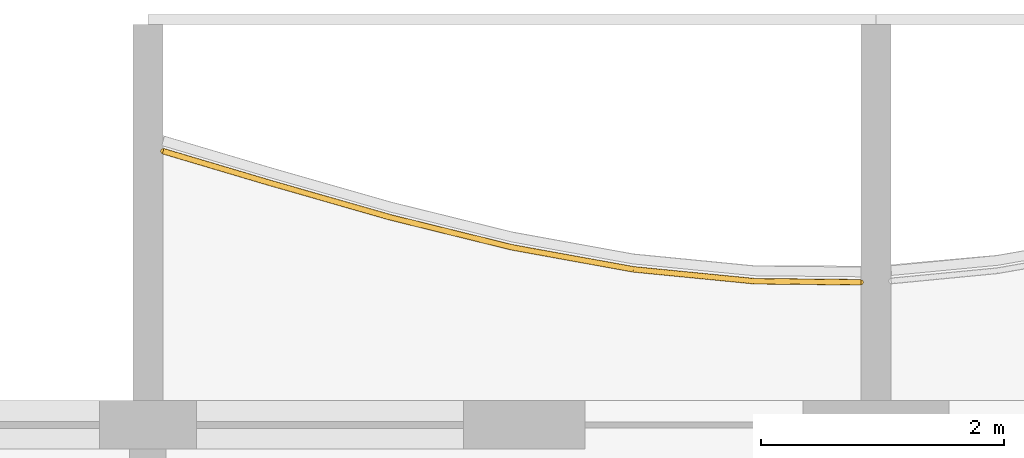
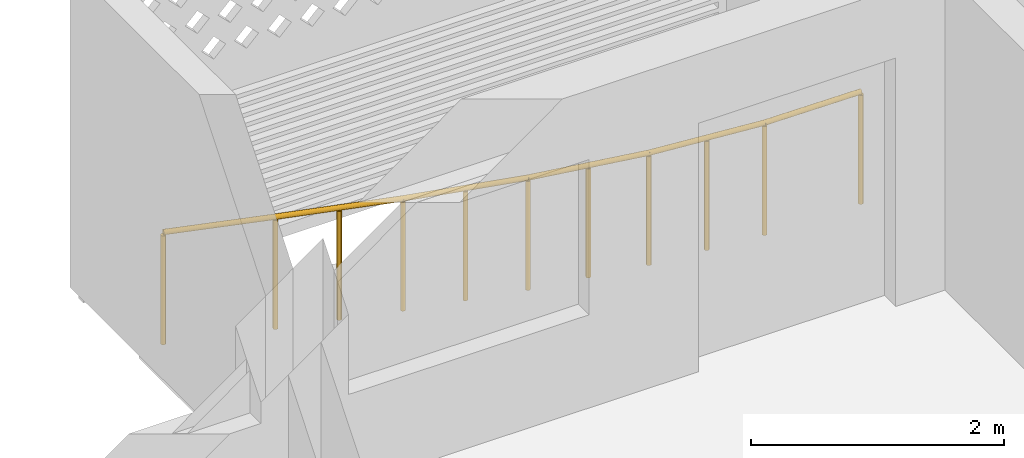
# One storey, part 27 of 32: 1 railing.
"""IFC4 building model written with IfcOpenShell, lengths in metres."""

from ifc_helpers import new_model, si_unit, direction, frame, origin, origin_2d, place, context, subcontext, project, spatial, circle, extrude, material, type_object, element, save


model = new_model("IFC4")

# Units and contexts
model_context = context("Model", 3, precision=1e-05, world=origin(), true_north=direction((0.0, 1.0)))
body_context = subcontext(model_context, "Body", "Model", "MODEL_VIEW")
ifc_project = project(units=[si_unit("LENGTHUNIT", "METRE"), si_unit("AREAUNIT", "SQUARE_METRE"), si_unit("VOLUMEUNIT", "CUBIC_METRE"), si_unit("PLANEANGLEUNIT", "RADIAN"), si_unit("MASSUNIT", "GRAM", prefix="KILO")], contexts=[model_context])

# Site, building, storey
site_placement = place(None, origin())
site = spatial("IfcSite", under=ifc_project, at=site_placement, CompositionType="ELEMENT")
building_placement = place(site_placement, origin())
building = spatial("IfcBuilding", under=site, at=building_placement, Name="Poui Terraces", CompositionType="ELEMENT")
storey_placement = place(building_placement, frame((0.0, 0.0, 129.0)))
storey = spatial("IfcBuildingStorey", under=building, at=storey_placement, Name="L35", CompositionType="ELEMENT", Elevation=129.0)

# Railing
ifc_material = material(Name="Painted steel fretwork", Category="steel")
railing_type = type_object("IfcRailingType", Name="BALCONY GUARD 1100", PredefinedType="GUARDRAIL", material=ifc_material)
railing_placement = place(storey_placement, frame((60.125, 44.655517578125, 0.0)))
element("IfcRailing", 1, at=railing_placement, inside=storey, type_object=railing_type, Name="BALCONY GUARD", PredefinedType="GUARDRAIL", context=body_context, shape_type="SweptSolid", body=[
    extrude(circle(Radius=0.02392578125, at=origin_2d()), frame((0.0, 0.0, 1.076171875), z_axis=(0.958646866278, -0.284598288426, 0.0), x_axis=(0.284598288426, 0.958646866278, 0.0)), (0.0, 0.0, 1.0), 0.912841796875),
    extrude(circle(Radius=0.02392578125, at=origin_2d()), frame((0.875, -0.259765625, 1.076171875), z_axis=(0.96141758688, -0.275093118121, 0.0), x_axis=(0.275093118121, 0.96141758688, 0.0)), (0.0, 0.0, 1.0), 1.0400390625),
    extrude(circle(Radius=0.02392578125, at=origin_2d()), frame((1.875, -0.5458984375, 1.076171875), z_axis=(0.970973389115, -0.239187536528, 0.0), x_axis=(0.239187536528, 0.970973389115, 0.0)), (0.0, 0.0, 1.0), 1.02978515625),
    extrude(circle(Radius=0.02392578125, at=origin_2d()), frame((2.875, -0.792236328125, 1.076171875), z_axis=(0.983942855126, -0.178483774746, 0.0), x_axis=(0.178483774746, 0.983942855126, 0.0)), (0.0, 0.0, 1.0), 1.016357421875),
    extrude(circle(Radius=0.02392578125, at=origin_2d()), frame((3.875, -0.9736328125, 1.076171875), z_axis=(0.995241932297, -0.097434573938, 0.0), x_axis=(0.097434573938, 0.995241932297, 0.0)), (0.0, 0.0, 1.0), 1.0048828125),
    extrude(circle(Radius=0.02392578125, at=origin_2d()), frame((4.875, -1.071533203125, 1.076171875), z_axis=(0.999949556392, -0.010044136169, 0.0), x_axis=(0.010044136169, 0.999949556392, 0.0)), (0.0, 0.0, 1.0), 0.875),
    extrude(circle(Radius=0.02099609375, at=origin_2d()), origin(), (0.0, 0.0, 1.0), 1.052001953125),
    extrude(circle(Radius=0.02099609375, at=origin_2d()), frame((0.875, -0.259765625, 0.0)), (0.0, 0.0, 1.0), 1.052001953125),
    extrude(circle(Radius=0.02099609375, at=origin_2d()), frame((1.375, -0.40283203125, 0.0)), (0.0, 0.0, 1.0), 1.052001953125),
    extrude(circle(Radius=0.02099609375, at=origin_2d()), frame((1.875, -0.5458984375, 0.0)), (0.0, 0.0, 1.0), 1.052001953125),
    extrude(circle(Radius=0.02099609375, at=origin_2d()), frame((2.375, -0.6689453125, 0.0)), (0.0, 0.0, 1.0), 1.052001953125),
    extrude(circle(Radius=0.02099609375, at=origin_2d()), frame((2.875, -0.792236328125, 0.0)), (0.0, 0.0, 1.0), 1.052001953125),
    extrude(circle(Radius=0.02099609375, at=origin_2d()), frame((3.375, -0.8828125, 0.0)), (0.0, 0.0, 1.0), 1.052001953125),
    extrude(circle(Radius=0.02099609375, at=origin_2d()), frame((3.875, -0.9736328125, 0.0)), (0.0, 0.0, 1.0), 1.052001953125),
    extrude(circle(Radius=0.02099609375, at=origin_2d()), frame((4.375, -1.0224609375, 0.0)), (0.0, 0.0, 1.0), 1.052001953125),
    extrude(circle(Radius=0.02099609375, at=origin_2d()), frame((4.875, -1.071533203125, 0.0)), (0.0, 0.0, 1.0), 1.052001953125),
    extrude(circle(Radius=0.02099609375, at=origin_2d()), frame((5.75, -1.080322265625, 0.0)), (0.0, 0.0, 1.0), 1.052001953125),
])

save(model, "model.ifc")
